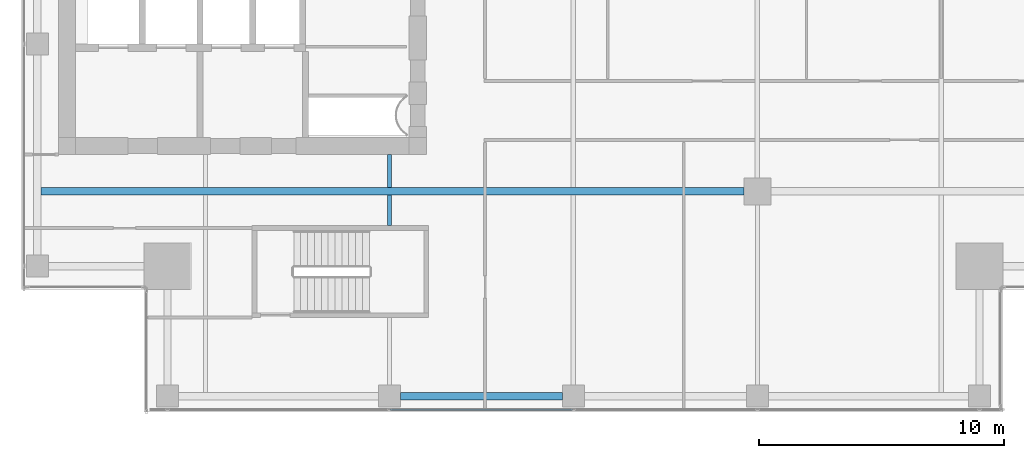
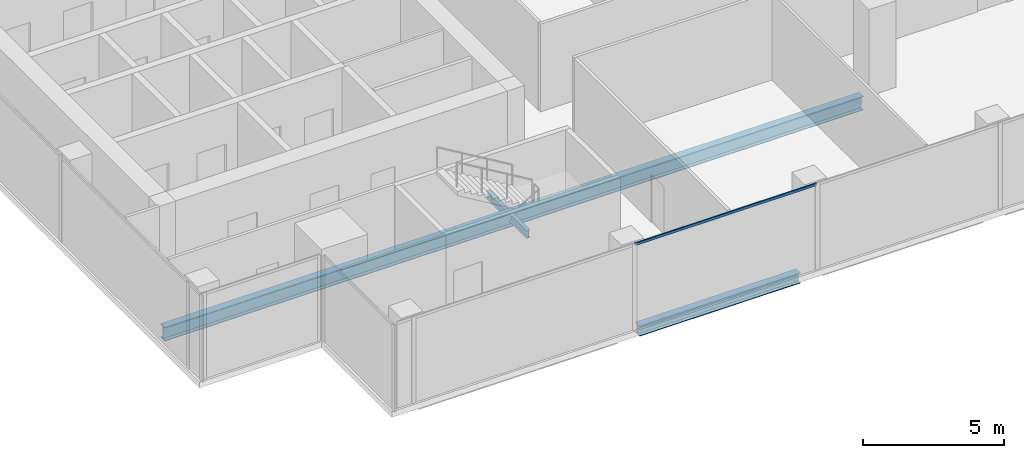
# One storey, part 5 of 35: 4 beams, 1 member, 1 element without a shape of its own.
"""IFC4 building model written with IfcOpenShell, lengths in metres."""

import ifcopenshell
import ifcopenshell.guid

model = None  # the IFC model being written
_history = None  # IfcOwnerHistory: only IFC2X3 demands one
_inside = {}  # id of a spatial element -> (the spatial element, [elements in it])
_under = {}  # id of a project, library or spatial element -> (it, [spatial elements below it])
_declared = {}  # id of a project -> (the project, [libraries it declares])
_typed = {}  # id of a type object -> (the type object, [elements of that type])
_made_of = {}  # id of a material, layer set ... -> (it, [elements and type objects made of it])


def new_model(schema):
    """Start an empty IFC model of exactly this schema.

    Asked for "IFC4X3", IfcOpenShell would pick the latest addendum, in which some entities
    have other attributes; the version numbers below select the first issue.
    IFC2X3 requires an IfcOwnerHistory on every rooted entity: one is made here for all.
    """
    global model, _history
    if schema == "IFC4X3":
        model = ifcopenshell.file(schema_version=(4, 3, 0, 0))
    else:
        model = ifcopenshell.file(schema=schema)
    _inside.clear()
    _under.clear()
    _declared.clear()
    _typed.clear()
    _made_of.clear()
    _history = None
    if model.schema == "IFC2X3":
        org = make("IfcOrganization", Name="unknown")
        user = make(
            "IfcPersonAndOrganization",
            ThePerson=make("IfcPerson", FamilyName="unknown"),
            TheOrganization=org,
        )
        app = make(
            "IfcApplication",
            ApplicationDeveloper=org,
            Version="unknown",
            ApplicationFullName="unknown",
            ApplicationIdentifier="unknown",
        )
        _history = make(
            "IfcOwnerHistory",
            OwningUser=user,
            OwningApplication=app,
            ChangeAction="ADDED",
            CreationDate=0,
        )
    return model


def make(cls, **values):
    """One entity of the class cls with the attributes given. An attribute that is None is left unset."""
    return model.create_entity(
        cls, **{name: value for name, value in values.items() if value is not None}
    )


def rooted(cls, **values):
    """An entity with a GlobalId (a new one), such as an element, a storey or a relation."""
    return make(cls, GlobalId=ifcopenshell.guid.new(), OwnerHistory=_history, **values)


def si_unit(unit_type, name, prefix=None):
    """IfcSIUnit, for example si_unit("LENGTHUNIT", "METRE", prefix="MILLI")."""
    return make("IfcSIUnit", UnitType=unit_type, Prefix=prefix, Name=name)


def assignment(units):
    """IfcUnitAssignment: the units of a project."""
    return None if units is None else make("IfcUnitAssignment", Units=units)


def point(xyz):
    """IfcCartesianPoint."""
    return None if xyz is None else make("IfcCartesianPoint", Coordinates=xyz)


def direction(xyz):
    """IfcDirection."""
    return None if xyz is None else make("IfcDirection", DirectionRatios=xyz)


def frame(location, z_axis=None, x_axis=None):
    """IfcAxis2Placement3D, a coordinate frame: its origin and axes. An axis left out is left unset."""
    return make(
        "IfcAxis2Placement3D",
        Location=point(location),
        Axis=direction(z_axis),
        RefDirection=direction(x_axis),
    )


def frame_2d(location, x_axis=None):
    """IfcAxis2Placement2D, a coordinate frame in the plane: its origin and x axis."""
    return make(
        "IfcAxis2Placement2D", Location=point(location), RefDirection=direction(x_axis)
    )


def origin():
    """The frame at (0, 0, 0) with its axes left unset."""
    return frame((0.0, 0.0, 0.0))


def origin_2d():
    """The frame at (0, 0) in the plane with its x axis left unset."""
    return frame_2d((0.0, 0.0))


def place(relative_to, where):
    """IfcLocalPlacement: puts the frame where relative to a parent placement (None: the world)."""
    return make(
        "IfcLocalPlacement", PlacementRelTo=relative_to, RelativePlacement=where
    )


def context(
    kind, dimensions, precision=None, world=None, true_north=None, identifier=None
):
    """IfcGeometricRepresentationContext, for example the 3D "Model" context."""
    return make(
        "IfcGeometricRepresentationContext",
        ContextIdentifier=identifier,
        ContextType=kind,
        CoordinateSpaceDimension=dimensions,
        Precision=precision,
        WorldCoordinateSystem=world,
        TrueNorth=true_north,
    )


def subcontext(parent, identifier, kind, view, scale=None):
    """IfcGeometricRepresentationSubContext, for example "Body" below "Model"."""
    return make(
        "IfcGeometricRepresentationSubContext",
        ContextIdentifier=identifier,
        ContextType=kind,
        ParentContext=parent,
        TargetScale=scale,
        TargetView=view,
    )


def project(units=None, contexts=None):
    """IfcProject with its units and contexts."""
    return rooted(
        "IfcProject",
        Name="project",
        RepresentationContexts=contexts,
        UnitsInContext=assignment(units),
    )


def spatial(cls, under=None, at=None, **own):
    """A site, building, storey or space (cls), placed at a placement, below another one or the project."""
    s = rooted(cls, ObjectPlacement=at, **own)
    if under is not None:
        _under.setdefault(under.id(), (under, []))[1].append(s)
    return s


def profile(cls, at=None, kind="AREA", **sizes):
    """A parametric profile (cls). Its sizes go by their IFC names, for example OverallWidth=200.0."""
    return make(cls, ProfileType=kind, Position=at, **sizes)


def hollow_rectangle(**sizes):
    """IfcRectangleHollowProfileDef."""
    return profile("IfcRectangleHollowProfileDef", **sizes)


def i_section(**sizes):
    """IfcIShapeProfileDef."""
    return profile("IfcIShapeProfileDef", **sizes)


def extrude(swept, where, along, depth):
    """IfcExtrudedAreaSolid: the profile swept, set in the frame where, extruded along a direction by depth."""
    return make(
        "IfcExtrudedAreaSolid",
        SweptArea=swept,
        Position=where,
        ExtrudedDirection=direction(along),
        Depth=depth,
    )


def shape(context_of_items, identifier, shape_type, items):
    """IfcShapeRepresentation: the items that make up one representation, for example the "Body"."""
    return make(
        "IfcShapeRepresentation",
        ContextOfItems=context_of_items,
        RepresentationIdentifier=identifier,
        RepresentationType=shape_type,
        Items=items,
    )


def source(mapping_origin, context_of_items, identifier, shape_type, items):
    """IfcRepresentationMap: a shape defined once, which mapped items show again and again."""
    return make(
        "IfcRepresentationMap",
        MappingOrigin=mapping_origin,
        MappedRepresentation=shape(context_of_items, identifier, shape_type, items),
    )


def transform(
    local_origin,
    x_axis=None,
    y_axis=None,
    z_axis=None,
    scale=None,
    scale2=None,
    scale3=None,
    uniform=True,
):
    """IfcCartesianTransformationOperator3D, or its non-uniform kind. x_axis, y_axis, z_axis: its Axis1, 2, 3."""
    if uniform:
        return make(
            "IfcCartesianTransformationOperator3D",
            Axis1=direction(x_axis),
            Axis2=direction(y_axis),
            LocalOrigin=point(local_origin),
            Scale=scale,
            Axis3=direction(z_axis),
        )
    return make(
        "IfcCartesianTransformationOperator3DnonUniform",
        Axis1=direction(x_axis),
        Axis2=direction(y_axis),
        LocalOrigin=point(local_origin),
        Scale=scale,
        Axis3=direction(z_axis),
        Scale2=scale2,
        Scale3=scale3,
    )


def mapped(mapping_source, mapping_target):
    """IfcMappedItem: shows the shape of a source again, moved by a transform."""
    return make(
        "IfcMappedItem", MappingSource=mapping_source, MappingTarget=mapping_target
    )


def material(Name=None, Category=None):
    """IfcMaterial."""
    return make("IfcMaterial", Name=Name, Category=Category)


def material_profile(
    of_material, cross_section, Name=None, Category=None, Priority=None
):
    """IfcMaterialProfile: a cross section and its material."""
    return make(
        "IfcMaterialProfile",
        Name=Name,
        Material=of_material,
        Profile=cross_section,
        Priority=Priority,
        Category=Category,
    )


def profile_set(profiles, Name=None, composite=None):
    """IfcMaterialProfileSet."""
    return make(
        "IfcMaterialProfileSet",
        Name=Name,
        MaterialProfiles=profiles,
        CompositeProfile=composite,
    )


def made_of(thing, what):
    """Note that an element or type object is made of a material, layer set ...; save() writes the relation."""
    if what is not None:
        _made_of.setdefault(what.id(), (what, []))[1].append(thing)
    return thing


def type_object(cls, material=None, **own):
    """A type object (cls), such as IfcWallType, which elements share."""
    return made_of(rooted(cls, **own), material)


def element(
    cls,
    number,
    at=None,
    inside=None,
    cuts=None,
    type_object=None,
    material=None,
    context=None,
    identifier="Body",
    shape_type=None,
    held_by="IfcProductDefinitionShape",
    body=None,
    shapes=None,
    **own,
):
    """One element of the class cls, such as IfcWall. Its Tag is "e" and its number.

    at: its placement. inside: the storey or other place that contains it. cuts: it is an
    opening in that element (IfcRelVoidsElement). A single representation is given by context,
    identifier, shape_type and body (its items); several are given by shapes. held_by: the class
    of the entity that holds the representations. save() writes the other relations.
    """
    e = rooted(cls, Tag="e%d" % number, ObjectPlacement=at, **own)
    if body is not None:
        shapes = [shape(context, identifier, shape_type, body)]
    if shapes is not None:
        e.Representation = make(held_by, Representations=shapes)
    if inside is not None:
        _inside.setdefault(inside.id(), (inside, []))[1].append(e)
    if cuts is not None:
        rooted(
            "IfcRelVoidsElement", RelatingBuildingElement=cuts, RelatedOpeningElement=e
        )
    if type_object is not None:
        _typed.setdefault(type_object.id(), (type_object, []))[1].append(e)
    return made_of(e, material)


def aggregate(whole, parts):
    """IfcRelAggregates: a whole, such as a stair, and the parts it consists of."""
    return rooted("IfcRelAggregates", RelatingObject=whole, RelatedObjects=parts)


def save(model, path):
    """Write the relations noted so far, then the file.

    IfcRelAggregates (storeys below a building ...), IfcRelContainedInSpatialStructure (elements
    in a storey), IfcRelDefinesByType, IfcRelAssociatesMaterial and IfcRelDeclares: one each for
    every whole, place, type object, material and project.
    """
    for whole, parts in _under.values():
        aggregate(whole, parts)
    for where, things in _inside.values():
        rooted(
            "IfcRelContainedInSpatialStructure",
            RelatedElements=things,
            RelatingStructure=where,
        )
    for kind, things in _typed.values():
        rooted("IfcRelDefinesByType", RelatedObjects=things, RelatingType=kind)
    for what, things in _made_of.values():
        rooted("IfcRelAssociatesMaterial", RelatedObjects=things, RelatingMaterial=what)
    for by, libraries in _declared.values():
        rooted("IfcRelDeclares", RelatingContext=by, RelatedDefinitions=libraries)
    model.write(path)


model = new_model("IFC4")

# Units and contexts
model_context = context("Model", 3, precision=1e-05, world=origin(), true_north=direction((0.0, 1.0)))
body_context = subcontext(model_context, "Body", "Model", "MODEL_VIEW")
ifc_project = project(units=[si_unit("LENGTHUNIT", "METRE"), si_unit("AREAUNIT", "SQUARE_METRE"), si_unit("VOLUMEUNIT", "CUBIC_METRE"), si_unit("PLANEANGLEUNIT", "RADIAN"), si_unit("MASSUNIT", "GRAM", prefix="KILO")], contexts=[model_context])

# Site, building, storey
site_placement = place(None, origin())
site = spatial("IfcSite", under=ifc_project, at=site_placement, CompositionType="ELEMENT")
building_placement = place(site_placement, origin())
building = spatial("IfcBuilding", under=site, at=building_placement, Name="Khomas Fold Tower", CompositionType="ELEMENT")
storey_placement = place(building_placement, frame((0.0, 0.0, 262.199951171875)))
storey = spatial("IfcBuildingStorey", under=building, at=storey_placement, Name="L59", CompositionType="ELEMENT", Elevation=262.199951171875)

# Beams
ifc_material_1 = material(Name="Steel S355", Category="steel")
ifc_material_profile_1 = material_profile(ifc_material_1, i_section(OverallWidth=0.159912109375, OverallDepth=0.330078125, WebThickness=0.007568359375, FlangeThickness=0.011474609375, at=origin_2d()), Name="IPE 330")
ifc_profile_set_1 = profile_set([ifc_material_profile_1], Name="Steel S355")
beam_type_1 = type_object("IfcBeamType", Name="IPE 330 beam JB1", PredefinedType="BEAM", material=ifc_profile_set_1)
shared_shape_1 = source(origin(), body_context, "Body", "SweptSolid", [
    extrude(i_section(OverallWidth=0.159912109375, OverallDepth=0.330078125, WebThickness=0.007568359375, FlangeThickness=0.011474609375, at=origin_2d()), origin(), (0.0, 0.0, 1.0), 1.25),
])
beam_1_placement = place(storey_placement, frame((19.5, 12.10009765625, -0.4150390625), z_axis=(0.0, 1.0, 0.0), x_axis=(-1.0, 0.0, 0.0)))
element("IfcBeam", 1, at=beam_1_placement, inside=storey, type_object=beam_type_1, Name="JB1", PredefinedType="BEAM", context=body_context, shape_type="MappedRepresentation", body=[
    mapped(shared_shape_1, transform((0.0, 0.0, 0.0))),
])
shared_shape_2 = source(origin(), body_context, "Body", "SweptSolid", [
    extrude(i_section(OverallWidth=0.159912109375, OverallDepth=0.330078125, WebThickness=0.007568359375, FlangeThickness=0.011474609375, at=origin_2d()), origin(), (0.0, 0.0, 1.0), 1.35009765625),
])
beam_2_placement = place(storey_placement, frame((19.5, 13.64990234375, -0.4150390625), z_axis=(0.0, 1.0, 0.0), x_axis=(-1.0, 0.0, 0.0)))
element("IfcBeam", 2, at=beam_2_placement, inside=storey, type_object=beam_type_1, Name="JB1", PredefinedType="BEAM", context=body_context, shape_type="MappedRepresentation", body=[
    mapped(shared_shape_2, transform((0.0, 0.0, 0.0))),
])
ifc_material_2 = material(Name="Steel S355", Category="steel")
ifc_material_profile_2 = material_profile(ifc_material_2, i_section(OverallWidth=0.300048828125, OverallDepth=0.449951171875, WebThickness=0.013916015625, FlangeThickness=0.02587890625, at=origin_2d()), Name="HE 450 B")
ifc_profile_set_2 = profile_set([ifc_material_profile_2], Name="Steel S355")
beam_type_2 = type_object("IfcBeamType", Name="HE 450 B spandrel SB4", PredefinedType="SPANDREL", material=ifc_profile_set_2)
shared_shape_3 = source(origin(), body_context, "Body", "SweptSolid", [
    extrude(i_section(OverallWidth=0.300048828125, OverallDepth=0.449951171875, WebThickness=0.013916015625, FlangeThickness=0.02587890625, at=origin_2d()), origin(), (0.0, 0.0, 1.0), 6.60009765625),
])
beam_3_placement = place(storey_placement, frame((19.949951171875, 5.14990234375, -0.474853515625), z_axis=(1.0, 0.0, 0.0), x_axis=(0.0, 1.0, 0.0)))
element("IfcBeam", 3, at=beam_3_placement, inside=storey, type_object=beam_type_2, Name="SB4", PredefinedType="SPANDREL", context=body_context, shape_type="MappedRepresentation", body=[
    mapped(shared_shape_3, transform((0.0, 0.0, 0.0))),
])
ifc_material_3 = material(Name="Steel S355", Category="steel")
ifc_material_profile_3 = material_profile(ifc_material_3, i_section(OverallWidth=0.300048828125, OverallDepth=0.60009765625, WebThickness=0.015380859375, FlangeThickness=0.030029296875, at=origin_2d()), Name="HE 600 B")
ifc_profile_set_3 = profile_set([ifc_material_profile_3], Name="Steel S355")
beam_type_3 = type_object("IfcBeamType", Name="HE 600 B beam GB5", PredefinedType="BEAM", material=ifc_profile_set_3)
shared_shape_4 = source(origin(), body_context, "Body", "SweptSolid", [
    extrude(i_section(OverallWidth=0.300048828125, OverallDepth=0.60009765625, WebThickness=0.015380859375, FlangeThickness=0.030029296875, at=origin_2d()), origin(), (0.0, 0.0, 1.0), 28.64990234375),
])
beam_4_placement = place(storey_placement, frame((5.300048828125, 13.5, -0.550048828125), z_axis=(1.0, 0.0, 0.0), x_axis=(0.0, 1.0, 0.0)))
element("IfcBeam", 4, at=beam_4_placement, inside=storey, type_object=beam_type_3, Name="GB5", PredefinedType="BEAM", context=body_context, shape_type="MappedRepresentation", body=[
    mapped(shared_shape_4, transform((0.0, 0.0, 0.0))),
])

# Curtain wall, member
ifc_material_4 = material(Name="Aluminium framed double glazing", Category="aluminium")
curtain_wall_type = type_object("IfcCurtainWallType", Name="SK-Unitised clear-glass wall, office floors CW2", PredefinedType="NOTDEFINED", material=ifc_material_4)
curtain_wall_placement = place(storey_placement, origin())
curtain_wall = element("IfcCurtainWall", 5, at=curtain_wall_placement, inside=storey, type_object=curtain_wall_type, Name="CW2 run L59 00-0", PredefinedType="NOTDEFINED")
ifc_material_5 = material(Name="Aluminium", Category="aluminium")
ifc_material_profile_4 = material_profile(ifc_material_5, hollow_rectangle(XDim=0.050048828125, YDim=0.110107421875, WallThickness=0.00390625, at=origin_2d()), Name="SK-Unitised clear-glass wall, office floors transom CW2-T")
ifc_profile_set_4 = profile_set([ifc_material_profile_4], Name="Aluminium")
member_type = type_object("IfcMemberType", Name="SK-Unitised clear-glass wall, office floors transom CW2-T", PredefinedType="USERDEFINED", material=ifc_profile_set_4)
shared_shape_5 = source(origin(), body_context, "Body", "SweptSolid", [
    extrude(hollow_rectangle(XDim=0.050048828125, YDim=0.110107421875, WallThickness=0.00390625, at=origin_2d()), origin(), (0.0, 0.0, 1.0), 7.43994140625),
])
member_placement = place(storey_placement, frame((19.530029296875, 4.60009765625, 3.695068359375), z_axis=(1.0, 0.0, 0.0), x_axis=(0.0, 1.0, 0.0)))
member = element("IfcMember", 6, at=member_placement, type_object=member_type, Name="CW2 transom 3", ObjectType="TRANSOM", PredefinedType="USERDEFINED", context=body_context, shape_type="MappedRepresentation", body=[
    mapped(shared_shape_5, transform((0.0, 0.0, 0.0))),
])
aggregate(curtain_wall, [member])

save(model, "model.ifc")
